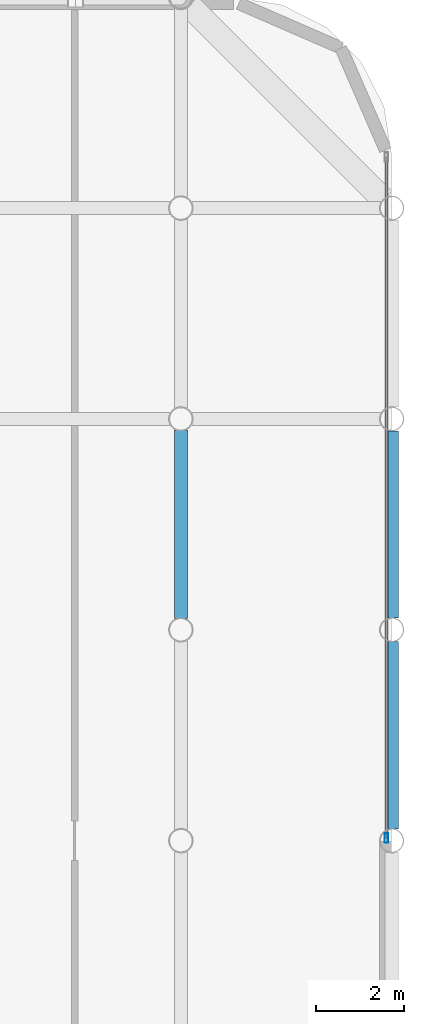
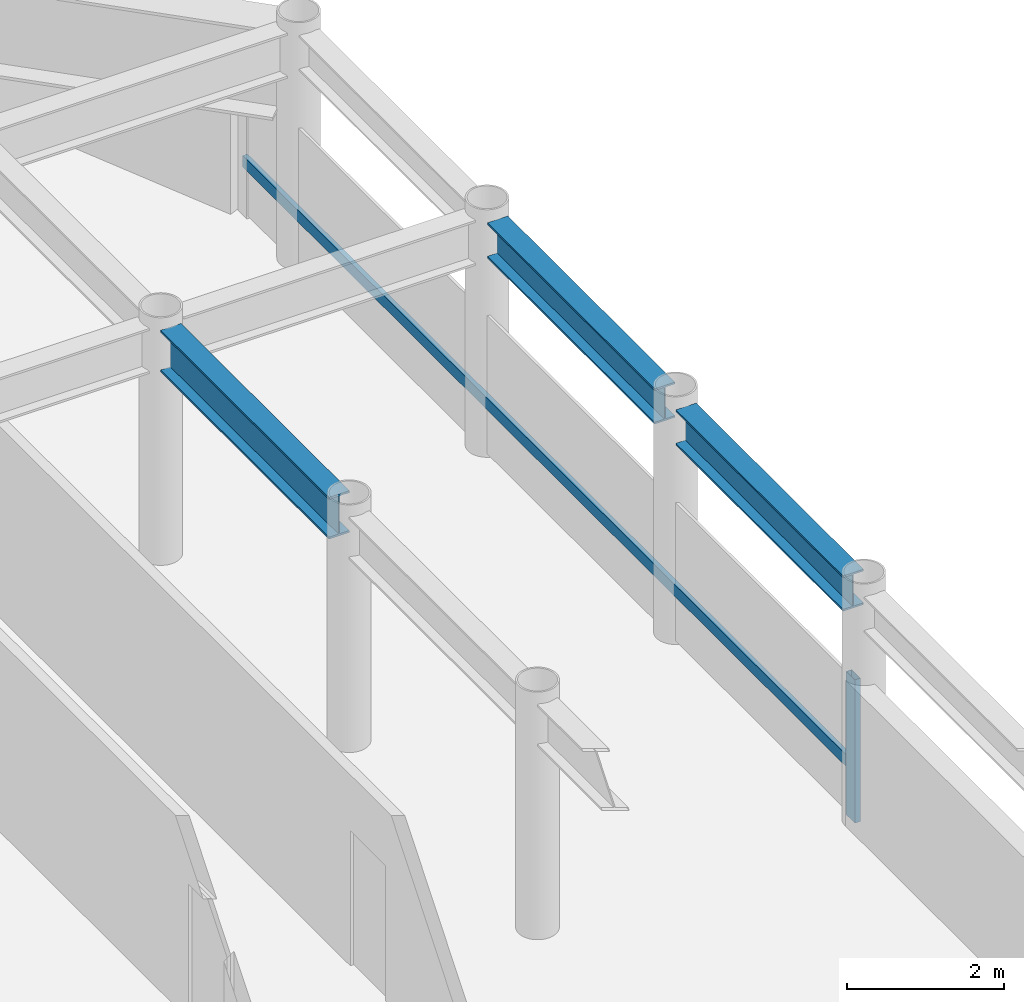
# One storey, part 10 of 22: 3 beams, 2 members, 1 element without a shape of its own.
"""IFC4 building model written with IfcOpenShell, lengths in metres."""

from ifc_helpers import new_model, si_unit, direction, frame, origin, origin_2d, place, context, subcontext, project, spatial, hollow_rectangle, i_section, extrude, material, layer, layer_set, material_profile, profile_set, type_object, element, aggregate, save


model = new_model("IFC4")

# Units and contexts
model_context = context("Model", 3, precision=1e-05, world=origin(), true_north=direction((0.0, 1.0)))
body_context = subcontext(model_context, "Body", "Model", "MODEL_VIEW")
ifc_project = project(units=[si_unit("LENGTHUNIT", "METRE"), si_unit("AREAUNIT", "SQUARE_METRE"), si_unit("VOLUMEUNIT", "CUBIC_METRE"), si_unit("PLANEANGLEUNIT", "RADIAN"), si_unit("MASSUNIT", "GRAM", prefix="KILO")], contexts=[model_context])

# Site, building, storey
site_placement = place(None, origin())
site = spatial("IfcSite", under=ifc_project, at=site_placement, CompositionType="ELEMENT")
building_placement = place(site_placement, origin())
building = spatial("IfcBuilding", under=site, at=building_placement, Name="Kallvorn Hotel Tower", CompositionType="ELEMENT")
storey_placement = place(building_placement, frame((0.0, 0.0, 199.199951171875)))
storey = spatial("IfcBuildingStorey", under=building, at=storey_placement, Name="L49", CompositionType="ELEMENT", Elevation=199.199951171875)

# Beams
ifc_material_1 = material(Name="Structural steel S355JR", Category="steel")
ifc_material_profile_1 = material_profile(ifc_material_1, i_section(OverallWidth=0.300048828125, OverallDepth=0.550048828125, WebThickness=0.014892578125, FlangeThickness=0.029052734375, at=origin_2d()), Name="HE 550 B")
ifc_profile_set_1 = profile_set([ifc_material_profile_1], Name="Structural steel S355JR")
beam_type_1 = type_object("IfcBeamType", Name="BM_HE550B", PredefinedType="SPANDREL", material=ifc_profile_set_1)
for number, where, z_axis, x_axis, name in (
    (1, (33.60009765625, 0.26953125, 3.39501953125), (0.0, 1.0, 0.0), (-1.0, 0.0, 0.0), "L50 Perimeter Spandrel 186"),
    (2, (33.60009765625, 5.069580078125, 3.39501953125), (0.0, 1.0, 0.0), (-1.0, 0.0, 0.0), "L50 Perimeter Spandrel 187"),
):
    element("IfcBeam", number, at=place(storey_placement, frame(where, z_axis=z_axis, x_axis=x_axis)), inside=storey, type_object=beam_type_1, Name=name, PredefinedType="SPANDREL", context=body_context, shape_type="SweptSolid", body=[
        extrude(i_section(OverallWidth=0.300048828125, OverallDepth=0.550048828125, WebThickness=0.014892578125, FlangeThickness=0.029052734375, at=origin_2d()), origin(), (0.0, 0.0, 1.0), 4.260986328125),
    ])
ifc_material_2 = material(Name="Structural steel S355JR", Category="steel")
ifc_material_profile_2 = material_profile(ifc_material_2, i_section(OverallWidth=0.300048828125, OverallDepth=0.64990234375, WebThickness=0.01611328125, FlangeThickness=0.031005859375, at=origin_2d()), Name="HE 650 B")
ifc_profile_set_2 = profile_set([ifc_material_profile_2], Name="Structural steel S355JR")
beam_type_2 = type_object("IfcBeamType", Name="BM_HE650B", PredefinedType="BEAM", material=ifc_profile_set_2)
beam_placement = place(storey_placement, frame((28.800048828125, 5.054443359375, 3.344970703125), z_axis=(0.0, 1.0, 0.0), x_axis=(-1.0, 0.0, 0.0)))
element("IfcBeam", 3, at=beam_placement, inside=storey, type_object=beam_type_2, Name="L50 Primary Y-Girder 148", PredefinedType="BEAM", context=body_context, shape_type="SweptSolid", body=[
    extrude(i_section(OverallWidth=0.300048828125, OverallDepth=0.64990234375, WebThickness=0.01611328125, FlangeThickness=0.031005859375, at=origin_2d()), origin(), (0.0, 0.0, 1.0), 4.291015625),
])

# Curtain wall, members
ifc_material_3 = material(Name="Thermally broken black-anodised aluminium AA 6063-T6", Category="aluminium")
ifc_layer = layer(ifc_material_3, 0.22998046875)
ifc_layer_set = layer_set([ifc_layer], Name="CW_SYS_5_HOTEL_HIGH")
curtain_wall_type = type_object("IfcCurtainWallType", Name="CW_SYS_5_HOTEL_HIGH", PredefinedType="USERDEFINED", material=ifc_layer_set)
curtain_wall_placement = place(storey_placement, origin())
curtain_wall = element("IfcCurtainWall", 4, at=curtain_wall_placement, inside=storey, type_object=curtain_wall_type, Name="L49 Dark-Glass Curtain Wall CW-L49-EN", ObjectType="UNITISED CURTAIN WALL", PredefinedType="USERDEFINED")
ifc_material_4 = material(Name="Thermally broken black-anodised aluminium AA 6063-T6", Category="aluminium")
ifc_material_profile_3 = material_profile(ifc_material_4, hollow_rectangle(XDim=0.080078125, YDim=0.219970703125, WallThickness=0.0048828125, at=origin_2d()), Name="MUL 220x80")
ifc_profile_set_3 = profile_set([ifc_material_profile_3], Name="Thermally broken black-anodised aluminium AA 6063-T6")
member_type_1 = type_object("IfcMemberType", Name="CW_MULLION_220x80", PredefinedType="MULLION", material=ifc_profile_set_3)
member_1_placement = place(storey_placement, frame((33.47998046875, 0.06005859375, 0.02001953125), z_axis=(0.0, 0.0, 1.0), x_axis=(1.0, 0.0, 0.0)))
member_1 = element("IfcMember", 5, at=member_1_placement, type_object=member_type_1, Name="CW-L49-EN Mullion 00", PredefinedType="MULLION", context=body_context, shape_type="SweptSolid", body=[
    extrude(hollow_rectangle(XDim=0.080078125, YDim=0.219970703125, WallThickness=0.0048828125, at=origin_2d()), origin(), (0.0, 0.0, 1.0), 2.22998046875),
])
ifc_material_5 = material(Name="Thermally broken black-anodised aluminium AA 6063-T6", Category="aluminium")
ifc_material_profile_4 = material_profile(ifc_material_5, hollow_rectangle(XDim=0.070068359375, YDim=0.179931640625, WallThickness=0.00390625, at=origin_2d()), Name="TRN 180x70")
ifc_profile_set_4 = profile_set([ifc_material_profile_4], Name="Thermally broken black-anodised aluminium AA 6063-T6")
member_type_2 = type_object("IfcMemberType", Name="CW_TRANSOM_180x70", PredefinedType="USERDEFINED", material=ifc_profile_set_4)
member_2_placement = place(storey_placement, frame((33.47998046875, 0.06005859375, 0.85009765625), z_axis=(0.0, 1.0, 0.0), x_axis=(-1.0, 0.0, 0.0)))
member_2 = element("IfcMember", 6, at=member_2_placement, type_object=member_type_2, Name="CW-L49-EN Transom 00M", ObjectType="TRANSOM", PredefinedType="USERDEFINED", context=body_context, shape_type="SweptSolid", body=[
    extrude(hollow_rectangle(XDim=0.070068359375, YDim=0.179931640625, WallThickness=0.00390625, at=origin_2d()), origin(), (0.0, 0.0, 1.0), 15.5),
])
aggregate(curtain_wall, [member_1, member_2])

save(model, "model.ifc")
